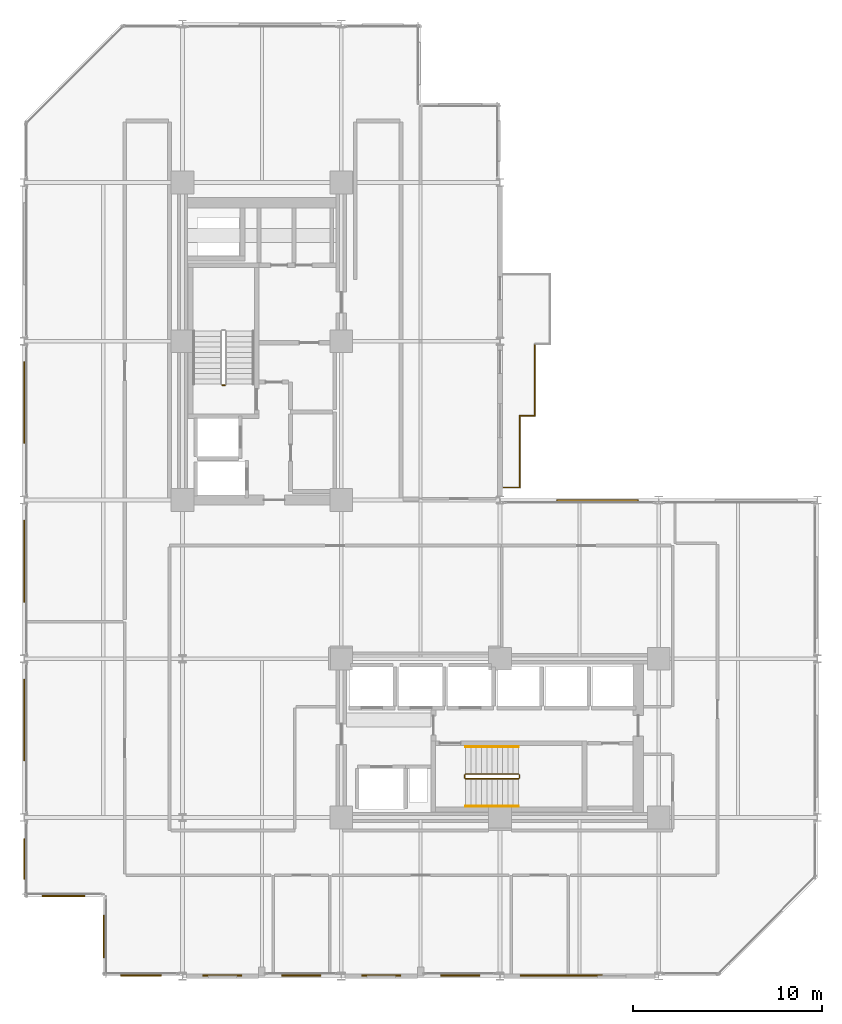
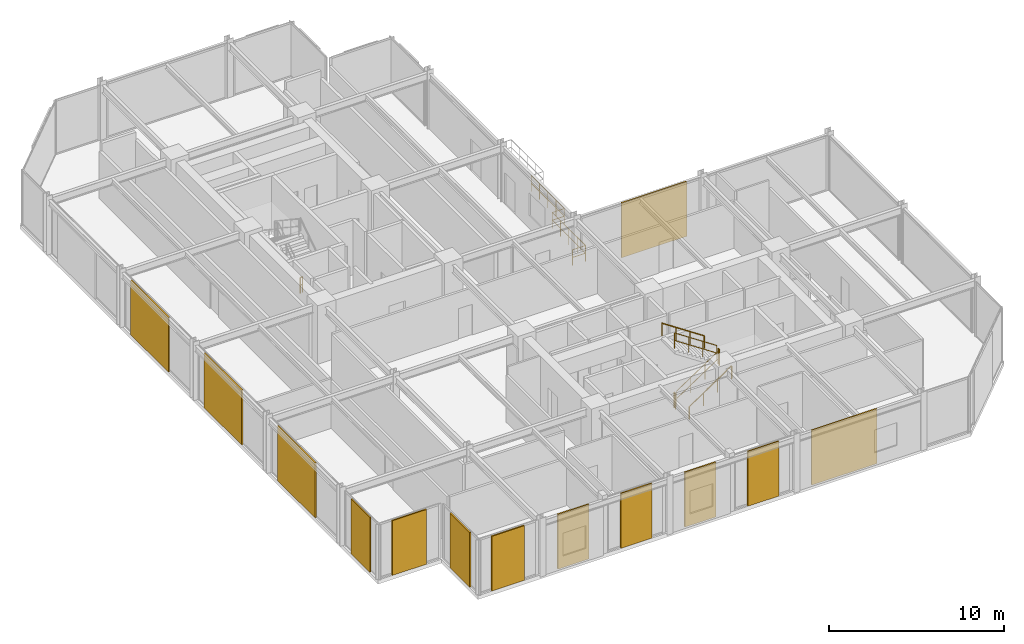
# One storey, part 27 of 29: 13 coverings, 11 railings.
"""IFC4 building model written with IfcOpenShell, lengths in metres."""

from ifc_helpers import new_model, si_unit, direction, frame, origin, origin_2d, place, context, subcontext, project, spatial, rectangle, circle, extrude, material, layer, layer_set, type_object, element, save


model = new_model("IFC4")

# Units and contexts
model_context = context("Model", 3, precision=1e-05, world=origin(), true_north=direction((0.0, 1.0)))
body_context = subcontext(model_context, "Body", "Model", "MODEL_VIEW")
ifc_project = project(units=[si_unit("LENGTHUNIT", "METRE"), si_unit("AREAUNIT", "SQUARE_METRE"), si_unit("VOLUMEUNIT", "CUBIC_METRE"), si_unit("PLANEANGLEUNIT", "RADIAN"), si_unit("MASSUNIT", "GRAM", prefix="KILO")], contexts=[model_context])

# Site, building, storey
site_placement = place(None, origin())
site = spatial("IfcSite", under=ifc_project, at=site_placement, CompositionType="ELEMENT")
building_placement = place(site_placement, origin())
building = spatial("IfcBuilding", under=site, at=building_placement, Name="Nerrivon Quay Data Exchange", CompositionType="ELEMENT")
storey_placement = place(building_placement, frame((0.0, 0.0, 125.39990234375)))
storey = spatial("IfcBuildingStorey", under=building, at=storey_placement, Name="L29", CompositionType="ELEMENT", Elevation=125.39990234375)

# Coverings
ifc_material_1 = material(Name="Architectural terracotta ceramic", Category="masonry")
ifc_layer = layer(ifc_material_1, 0.090087890625)
ifc_layer_set = layer_set([ifc_layer], Name="Architectural terracotta ceramic")
covering_type = type_object("IfcCoveringType", Name="COV-SCR-TERR", PredefinedType="CLADDING", material=ifc_layer_set)
covering_1_placement = place(storey_placement, frame((28.43994140625, 0.044921875, 0.0), z_axis=(0.0, 0.0, 1.0), x_axis=(-1.0, 0.0, 0.0)))
element("IfcCovering", 1, at=covering_1_placement, inside=storey, type_object=covering_type, Name="L29 Perforated Terracotta SOLAR SCREEN Cassette", PredefinedType="CLADDING", context=body_context, shape_type="SweptSolid", body=[
    extrude(rectangle(XDim=4.320068359375, YDim=0.090087890625, at=origin_2d()), origin(), (0.0, 0.0, 1.0), 3.824951171875),
])
for number, where, z_axis, x_axis, name in (
    (2, (23.08740234375, 0.044921875, 0.0), (0.0, 0.0, 1.0), (-1.0, 0.0, 0.0), "L29 Perforated Terracotta SOLAR SCREEN Cassette"),
    (3, (18.91259765625, 0.044921875, 0.0), (0.0, 0.0, 1.0), (-1.0, 0.0, 0.0), "L29 Perforated Terracotta SOLAR SCREEN Cassette"),
):
    element("IfcCovering", number, at=place(storey_placement, frame(where, z_axis=z_axis, x_axis=x_axis)), inside=storey, type_object=covering_type, Name=name, PredefinedType="CLADDING", context=body_context, shape_type="SweptSolid", body=[
        extrude(rectangle(XDim=2.06494140625, YDim=0.090087890625, at=origin_2d()), origin(), (0.0, 0.0, 1.0), 3.824951171875),
    ])
for number, where, z_axis, x_axis, name in (
    (4, (14.6875, 0.044921875, 0.0), (0.0, 0.0, 1.0), (-1.0, 0.0, 0.0), "L29 Perforated Terracotta SOLAR SCREEN Cassette"),
    (5, (10.512451171875, 0.044921875, 0.0), (0.0, 0.0, 1.0), (-1.0, 0.0, 0.0), "L29 Perforated Terracotta SOLAR SCREEN Cassette"),
):
    element("IfcCovering", number, at=place(storey_placement, frame(where, z_axis=z_axis, x_axis=x_axis)), inside=storey, type_object=covering_type, Name=name, PredefinedType="CLADDING", context=body_context, shape_type="SweptSolid", body=[
        extrude(rectangle(XDim=2.06591796875, YDim=0.090087890625, at=origin_2d()), origin(), (0.0, 0.0, 1.0), 3.824951171875),
    ])
covering_2_placement = place(storey_placement, frame((6.199951171875, 0.044921875, 0.0), z_axis=(0.0, 0.0, 1.0), x_axis=(-1.0, 0.0, 0.0)))
element("IfcCovering", 6, at=covering_2_placement, inside=storey, type_object=covering_type, Name="L29 Perforated Terracotta SOLAR SCREEN Cassette", PredefinedType="CLADDING", context=body_context, shape_type="SweptSolid", body=[
    extrude(rectangle(XDim=2.159912109375, YDim=0.090087890625, at=origin_2d()), origin(), (0.0, 0.0, 1.0), 3.824951171875),
])
for number, where, z_axis, x_axis, name in (
    (7, (4.2451171875, 2.10009765625, 0.0), (0.0, 0.0, 1.0), (0.0, 1.0, 0.0), "L29 Perforated Terracotta SOLAR SCREEN Cassette"),
    (8, (2.10009765625, 4.2451171875, 0.0), (0.0, 0.0, 1.0), (-1.0, 0.0, 0.0), "L29 Perforated Terracotta SOLAR SCREEN Cassette"),
):
    element("IfcCovering", number, at=place(storey_placement, frame(where, z_axis=z_axis, x_axis=x_axis)), inside=storey, type_object=covering_type, Name=name, PredefinedType="CLADDING", context=body_context, shape_type="SweptSolid", body=[
        extrude(rectangle(XDim=2.26806640625, YDim=0.090087890625, at=origin_2d()), origin(), (0.0, 0.0, 1.0), 3.824951171875),
    ])
covering_3_placement = place(storey_placement, frame((0.044921875, 6.199951171875, 0.0), z_axis=(0.0, 0.0, 1.0), x_axis=(0.0, 1.0, 0.0)))
element("IfcCovering", 9, at=covering_3_placement, inside=storey, type_object=covering_type, Name="L29 Perforated Terracotta SOLAR SCREEN Cassette", PredefinedType="CLADDING", context=body_context, shape_type="SweptSolid", body=[
    extrude(rectangle(XDim=2.159912109375, YDim=0.090087890625, at=origin_2d()), origin(), (0.0, 0.0, 1.0), 3.824951171875),
])
for number, where, z_axis, x_axis, name in (
    (10, (0.044921875, 13.56005859375, 0.0), (0.0, 0.0, 1.0), (0.0, 1.0, 0.0), "L29 Perforated Terracotta SOLAR SCREEN Cassette"),
    (11, (0.044921875, 21.9599609375, 0.0), (0.0, 0.0, 1.0), (0.0, 1.0, 0.0), "L29 Perforated Terracotta SOLAR SCREEN Cassette"),
    (12, (0.044921875, 30.360107421875, 0.0), (0.0, 0.0, 1.0), (0.0, 1.0, 0.0), "L29 Perforated Terracotta SOLAR SCREEN Cassette"),
    (13, (30.360107421875, 25.155029296875, 0.0), (0.0, 0.0, 1.0), (1.0, 0.0, 0.0), "L29 Perforated Terracotta SOLAR SCREEN Cassette"),
):
    element("IfcCovering", number, at=place(storey_placement, frame(where, z_axis=z_axis, x_axis=x_axis)), inside=storey, type_object=covering_type, Name=name, PredefinedType="CLADDING", context=body_context, shape_type="SweptSolid", body=[
        extrude(rectangle(XDim=4.320068359375, YDim=0.090087890625, at=origin_2d()), origin(), (0.0, 0.0, 1.0), 3.824951171875),
    ])

# Railings
ifc_material_2 = material(Name="Steel Grade C350L0 (350 MPa)", Category="steel")
railing_type_1 = type_object("IfcRailingType", Name="RAIL-GUARD-GR2", PredefinedType="BALUSTRADE", material=ifc_material_2)
railing_1_placement = place(storey_placement, frame((26.239990234375, 29.659912109375, 0.0)))
element("IfcRailing", 14, at=railing_1_placement, inside=storey, type_object=railing_type_1, Name="L29 Verandah Balcony Guard 1.1 1", PredefinedType="BALUSTRADE", context=body_context, shape_type="SweptSolid", body=[
    extrude(circle(Radius=0.02392578125, at=origin_2d()), frame((0.0, 0.0, 1.09619140625), z_axis=(0.0, -1.0, 0.0), x_axis=(1.0, 0.0, 0.0)), (0.0, 0.0, 1.0), 3.7998046875),
    extrude(circle(Radius=0.02392578125, at=origin_2d()), frame((0.0, 0.0, 0.56005859375), z_axis=(0.0, -1.0, 0.0), x_axis=(1.0, 0.0, 0.0)), (0.0, 0.0, 1.0), 3.7998046875),
    extrude(circle(Radius=0.02099609375, at=origin_2d()), origin(), (0.0, 0.0, 1.0), 1.072021484375),
    extrude(circle(Radius=0.02099609375, at=origin_2d()), frame((0.0, -0.949951171875, 0.0)), (0.0, 0.0, 1.0), 1.072021484375),
    extrude(circle(Radius=0.02099609375, at=origin_2d()), frame((0.0, -1.89990234375, 0.0)), (0.0, 0.0, 1.0), 1.072021484375),
    extrude(circle(Radius=0.02099609375, at=origin_2d()), frame((0.0, -2.849853515625, 0.0)), (0.0, 0.0, 1.0), 1.072021484375),
    extrude(circle(Radius=0.02099609375, at=origin_2d()), frame((0.0, -3.7998046875, 0.0)), (0.0, 0.0, 1.0), 1.072021484375),
])
railing_2_placement = place(storey_placement, frame((26.239990234375, 25.860107421875, 0.0)))
element("IfcRailing", 15, at=railing_2_placement, inside=storey, type_object=railing_type_1, Name="L29 Verandah Balcony Guard 1.2 1", PredefinedType="BALUSTRADE", context=body_context, shape_type="SweptSolid", body=[
    extrude(circle(Radius=0.02392578125, at=origin_2d()), frame((0.0, 0.0, 1.09619140625), z_axis=(-1.0, 0.0, 0.0), x_axis=(0.0, -1.0, 0.0)), (0.0, 0.0, 1.0), 0.860107421875),
    extrude(circle(Radius=0.02392578125, at=origin_2d()), frame((0.0, 0.0, 0.56005859375), z_axis=(-1.0, 0.0, 0.0), x_axis=(0.0, -1.0, 0.0)), (0.0, 0.0, 1.0), 0.860107421875),
    extrude(circle(Radius=0.02099609375, at=origin_2d()), origin(), (0.0, 0.0, 1.0), 1.072021484375),
    extrude(circle(Radius=0.02099609375, at=origin_2d()), frame((-0.860107421875, 0.0, 0.0)), (0.0, 0.0, 1.0), 1.072021484375),
])
railing_3_placement = place(storey_placement, frame((27.0400390625, 33.4599609375, 0.0)))
element("IfcRailing", 16, at=railing_3_placement, inside=storey, type_object=railing_type_1, Name="L29 Verandah Balcony Guard 1.6 1", PredefinedType="BALUSTRADE", context=body_context, shape_type="SweptSolid", body=[
    extrude(circle(Radius=0.02392578125, at=origin_2d()), frame((0.0, 0.0, 1.09619140625), z_axis=(0.0, -1.0, 0.0), x_axis=(1.0, 0.0, 0.0)), (0.0, 0.0, 1.0), 3.800048828125),
    extrude(circle(Radius=0.02392578125, at=origin_2d()), frame((0.0, 0.0, 0.56005859375), z_axis=(0.0, -1.0, 0.0), x_axis=(1.0, 0.0, 0.0)), (0.0, 0.0, 1.0), 3.800048828125),
    extrude(circle(Radius=0.02099609375, at=origin_2d()), origin(), (0.0, 0.0, 1.0), 1.072021484375),
    extrude(circle(Radius=0.02099609375, at=origin_2d()), frame((0.0, -0.949951171875, 0.0)), (0.0, 0.0, 1.0), 1.072021484375),
    extrude(circle(Radius=0.02099609375, at=origin_2d()), frame((0.0, -1.89990234375, 0.0)), (0.0, 0.0, 1.0), 1.072021484375),
    extrude(circle(Radius=0.02099609375, at=origin_2d()), frame((0.0, -2.85009765625, 0.0)), (0.0, 0.0, 1.0), 1.072021484375),
    extrude(circle(Radius=0.02099609375, at=origin_2d()), frame((0.0, -3.800048828125, 0.0)), (0.0, 0.0, 1.0), 1.072021484375),
])
railing_4_placement = place(storey_placement, frame((27.0400390625, 29.659912109375, 0.0)))
element("IfcRailing", 17, at=railing_4_placement, inside=storey, type_object=railing_type_1, Name="L29 Verandah Balcony Guard 1.7 1", PredefinedType="BALUSTRADE", context=body_context, shape_type="SweptSolid", body=[
    extrude(circle(Radius=0.02392578125, at=origin_2d()), frame((0.0, 0.0, 1.09619140625), z_axis=(-1.0, 0.0, 0.0), x_axis=(0.0, -1.0, 0.0)), (0.0, 0.0, 1.0), 0.800048828125),
    extrude(circle(Radius=0.02392578125, at=origin_2d()), frame((0.0, 0.0, 0.56005859375), z_axis=(-1.0, 0.0, 0.0), x_axis=(0.0, -1.0, 0.0)), (0.0, 0.0, 1.0), 0.800048828125),
    extrude(circle(Radius=0.02099609375, at=origin_2d()), origin(), (0.0, 0.0, 1.0), 1.072021484375),
    extrude(circle(Radius=0.02099609375, at=origin_2d()), frame((-0.800048828125, 0.0, 0.0)), (0.0, 0.0, 1.0), 1.072021484375),
])
railing_type_2 = type_object("IfcRailingType", Name="RAIL-HAND-HR1", PredefinedType="HANDRAIL", material=ifc_material_2)
railing_5_placement = place(storey_placement, frame((23.3798828125, 9.0, 0.1865234375)))
element("IfcRailing", 18, at=railing_5_placement, inside=storey, type_object=railing_type_2, Name="L29 ST02 stair handrail 1", PredefinedType="HANDRAIL", context=body_context, shape_type="SweptSolid", body=[
    extrude(circle(Radius=0.02392578125, at=origin_2d()), frame((0.0, 0.0, 0.8759765625), z_axis=(0.832485552168, 0.0, 0.554046753832), x_axis=(0.0, 1.0, 0.0)), (0.0, 0.0, 1.0), 3.363525390625),
    extrude(circle(Radius=0.02099609375, at=origin_2d()), origin(), (0.0, 0.0, 1.0), 0.851806640625),
    extrude(circle(Radius=0.02099609375, at=origin_2d()), frame((0.933349609375, 0.0, 0.62109375)), (0.0, 0.0, 1.0), 0.851806640625),
    extrude(circle(Radius=0.02099609375, at=origin_2d()), frame((1.86669921875, 0.0, 1.242431640625)), (0.0, 0.0, 1.0), 0.851806640625),
    extrude(circle(Radius=0.02099609375, at=origin_2d()), frame((2.800048828125, 0.0, 1.863525390625)), (0.0, 0.0, 1.0), 0.851806640625),
])
railing_6_placement = place(storey_placement, frame((26.179931640625, 12.14990234375, 2.236572265625)))
element("IfcRailing", 19, at=railing_6_placement, inside=storey, type_object=railing_type_2, Name="L29 ST02 stair handrail 2", PredefinedType="HANDRAIL", context=body_context, shape_type="SweptSolid", body=[
    extrude(circle(Radius=0.02392578125, at=origin_2d()), frame((0.0, 0.0, 0.8759765625), z_axis=(-0.832485552168, 0.0, 0.554046753832), x_axis=(0.0, -1.0, 0.0)), (0.0, 0.0, 1.0), 3.363525390625),
    extrude(circle(Radius=0.02099609375, at=origin_2d()), origin(), (0.0, 0.0, 1.0), 0.851806640625),
    extrude(circle(Radius=0.02099609375, at=origin_2d()), frame((-0.933349609375, 0.0, 0.62109375)), (0.0, 0.0, 1.0), 0.851806640625),
    extrude(circle(Radius=0.02099609375, at=origin_2d()), frame((-1.86669921875, 0.0, 1.242431640625)), (0.0, 0.0, 1.0), 0.851806640625),
    extrude(circle(Radius=0.02099609375, at=origin_2d()), frame((-2.800048828125, 0.0, 1.863525390625)), (0.0, 0.0, 1.0), 0.851806640625),
])
railing_type_3 = type_object("IfcRailingType", Name="RAIL-STAIR-GR1", PredefinedType="BALUSTRADE", material=ifc_material_2)
railing_7_placement = place(storey_placement, frame((10.64990234375, 31.280029296875, 0.0)))
element("IfcRailing", 20, at=railing_7_placement, inside=storey, type_object=railing_type_3, Name="L29 ST01 stair guard 4", PredefinedType="BALUSTRADE", context=body_context, shape_type="SweptSolid", body=[
    extrude(circle(Radius=0.02392578125, at=origin_2d()), frame((0.0, 0.0, 1.076171875), z_axis=(-1.0, 0.0, 0.0), x_axis=(0.0, -1.0, 0.0)), (0.0, 0.0, 1.0), 0.14990234375),
    extrude(circle(Radius=0.02392578125, at=origin_2d()), frame((0.0, 0.0, 0.550048828125), z_axis=(-1.0, 0.0, 0.0), x_axis=(0.0, -1.0, 0.0)), (0.0, 0.0, 1.0), 0.14990234375),
    extrude(circle(Radius=0.02099609375, at=origin_2d()), origin(), (0.0, 0.0, 1.0), 1.052001953125),
    extrude(circle(Radius=0.02099609375, at=origin_2d()), frame((-0.14990234375, 0.0, 0.0)), (0.0, 0.0, 1.0), 1.052001953125),
])
railing_8_placement = place(storey_placement, frame((23.3798828125, 10.449951171875, 0.1865234375)))
element("IfcRailing", 21, at=railing_8_placement, inside=storey, type_object=railing_type_3, Name="L29 ST02 stair guard 1", PredefinedType="BALUSTRADE", context=body_context, shape_type="SweptSolid", body=[
    extrude(circle(Radius=0.02392578125, at=origin_2d()), frame((0.0, 0.0, 1.076171875), z_axis=(0.832485552168, 0.0, 0.554046753832), x_axis=(0.0, 1.0, 0.0)), (0.0, 0.0, 1.0), 3.363525390625),
    extrude(circle(Radius=0.02392578125, at=origin_2d()), frame((0.0, 0.0, 0.550048828125), z_axis=(0.832485552168, 0.0, 0.554046753832), x_axis=(0.0, 1.0, 0.0)), (0.0, 0.0, 1.0), 3.363525390625),
    extrude(circle(Radius=0.02099609375, at=origin_2d()), origin(), (0.0, 0.0, 1.0), 1.052001953125),
    extrude(circle(Radius=0.02099609375, at=origin_2d()), frame((0.933349609375, 0.0, 0.62109375)), (0.0, 0.0, 1.0), 1.052001953125),
    extrude(circle(Radius=0.02099609375, at=origin_2d()), frame((1.86669921875, 0.0, 1.242431640625)), (0.0, 0.0, 1.0), 1.052001953125),
    extrude(circle(Radius=0.02099609375, at=origin_2d()), frame((2.800048828125, 0.0, 1.863525390625)), (0.0, 0.0, 1.0), 1.052001953125),
])
railing_9_placement = place(storey_placement, frame((26.22998046875, 10.5, 2.050048828125)))
element("IfcRailing", 22, at=railing_9_placement, inside=storey, type_object=railing_type_3, Name="L29 ST02 stair guard 2", PredefinedType="BALUSTRADE", context=body_context, shape_type="SweptSolid", body=[
    extrude(circle(Radius=0.02392578125, at=origin_2d()), frame((0.0, 0.0, 1.076171875), z_axis=(0.0, 1.0, 0.0), x_axis=(-1.0, 0.0, 0.0)), (0.0, 0.0, 1.0), 0.14990234375),
    extrude(circle(Radius=0.02392578125, at=origin_2d()), frame((0.0, 0.0, 0.550048828125), z_axis=(0.0, 1.0, 0.0), x_axis=(-1.0, 0.0, 0.0)), (0.0, 0.0, 1.0), 0.14990234375),
    extrude(circle(Radius=0.02099609375, at=origin_2d()), origin(), (0.0, 0.0, 1.0), 1.052001953125),
    extrude(circle(Radius=0.02099609375, at=origin_2d()), frame((0.0, 0.14990234375, 0.0)), (0.0, 0.0, 1.0), 1.052001953125),
])
railing_10_placement = place(storey_placement, frame((26.179931640625, 10.699951171875, 2.236572265625)))
element("IfcRailing", 23, at=railing_10_placement, inside=storey, type_object=railing_type_3, Name="L29 ST02 stair guard 3", PredefinedType="BALUSTRADE", context=body_context, shape_type="SweptSolid", body=[
    extrude(circle(Radius=0.02392578125, at=origin_2d()), frame((0.0, 0.0, 1.076171875), z_axis=(-0.832485552168, 0.0, 0.554046753832), x_axis=(0.0, -1.0, 0.0)), (0.0, 0.0, 1.0), 3.363525390625),
    extrude(circle(Radius=0.02392578125, at=origin_2d()), frame((0.0, 0.0, 0.550048828125), z_axis=(-0.832485552168, 0.0, 0.554046753832), x_axis=(0.0, -1.0, 0.0)), (0.0, 0.0, 1.0), 3.363525390625),
    extrude(circle(Radius=0.02099609375, at=origin_2d()), origin(), (0.0, 0.0, 1.0), 1.052001953125),
    extrude(circle(Radius=0.02099609375, at=origin_2d()), frame((-0.933349609375, 0.0, 0.62109375)), (0.0, 0.0, 1.0), 1.052001953125),
    extrude(circle(Radius=0.02099609375, at=origin_2d()), frame((-1.86669921875, 0.0, 1.242431640625)), (0.0, 0.0, 1.0), 1.052001953125),
    extrude(circle(Radius=0.02099609375, at=origin_2d()), frame((-2.800048828125, 0.0, 1.863525390625)), (0.0, 0.0, 1.0), 1.052001953125),
])
railing_11_placement = place(storey_placement, frame((23.330078125, 10.5, 0.0)))
element("IfcRailing", 24, at=railing_11_placement, inside=storey, type_object=railing_type_3, Name="L29 ST02 stair guard 4", PredefinedType="BALUSTRADE", context=body_context, shape_type="SweptSolid", body=[
    extrude(circle(Radius=0.02392578125, at=origin_2d()), frame((0.0, 0.0, 1.076171875), z_axis=(0.0, 1.0, 0.0), x_axis=(-1.0, 0.0, 0.0)), (0.0, 0.0, 1.0), 0.14990234375),
    extrude(circle(Radius=0.02392578125, at=origin_2d()), frame((0.0, 0.0, 0.550048828125), z_axis=(0.0, 1.0, 0.0), x_axis=(-1.0, 0.0, 0.0)), (0.0, 0.0, 1.0), 0.14990234375),
    extrude(circle(Radius=0.02099609375, at=origin_2d()), origin(), (0.0, 0.0, 1.0), 1.052001953125),
    extrude(circle(Radius=0.02099609375, at=origin_2d()), frame((0.0, 0.14990234375, 0.0)), (0.0, 0.0, 1.0), 1.052001953125),
])

save(model, "model.ifc")
